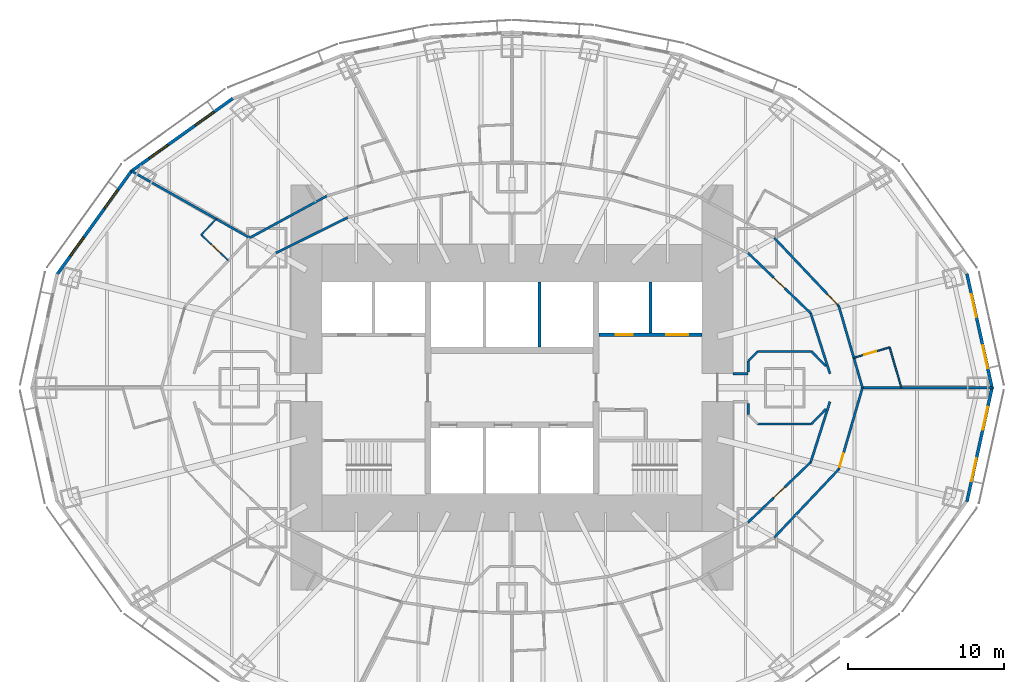
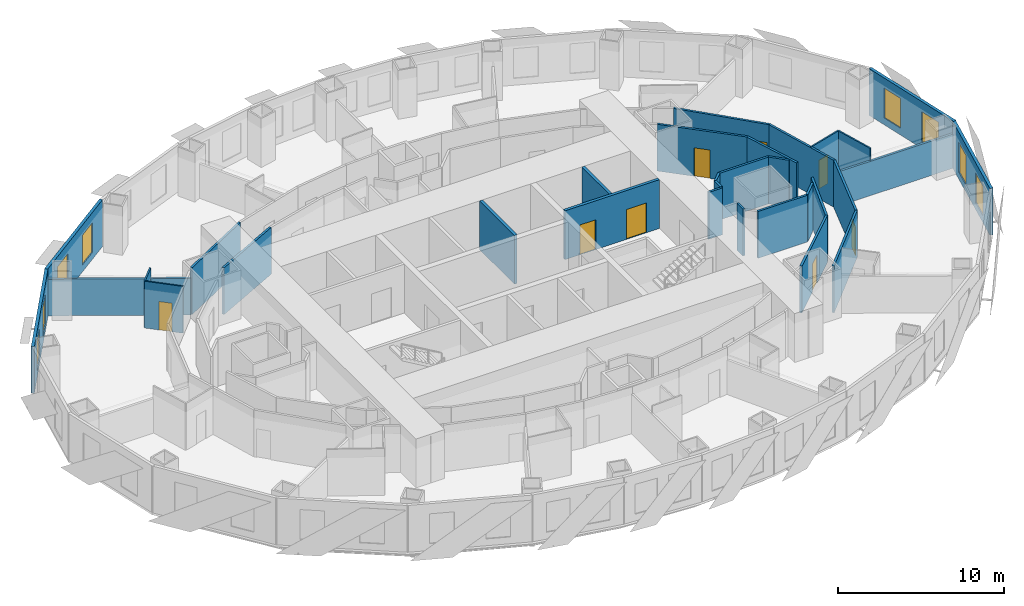
# One storey, part 8 of 15: 31 walls, 8 doors, 8 windows, 16 openings.
"""IFC4 building model written with IfcOpenShell, lengths in metres."""

from ifc_helpers import new_model, si_unit, direction, frame, frame_2d, origin, place, context, subcontext, project, spatial, rectangle, extrude, material, layer, layer_set, type_object, element, fill, save


model = new_model("IFC4")

# Units and contexts
model_context = context("Model", 3, precision=1e-05, world=origin(), true_north=direction((0.0, 1.0)))
body_context = subcontext(model_context, "Body", "Model", "MODEL_VIEW")
ifc_project = project(units=[si_unit("LENGTHUNIT", "METRE"), si_unit("AREAUNIT", "SQUARE_METRE"), si_unit("VOLUMEUNIT", "CUBIC_METRE"), si_unit("PLANEANGLEUNIT", "RADIAN"), si_unit("MASSUNIT", "GRAM", prefix="KILO")], contexts=[model_context])

# Site, building, storey
site_placement = place(None, origin())
site = spatial("IfcSite", under=ifc_project, at=site_placement, CompositionType="ELEMENT")
building_placement = place(site_placement, origin())
building = spatial("IfcBuilding", under=site, at=building_placement, Name="Lantaw Convention Tower", CompositionType="ELEMENT")
storey_placement = place(building_placement, frame((0.0, 0.0, 91.0)))
storey = spatial("IfcBuildingStorey", under=building, at=storey_placement, Name="L21", CompositionType="ELEMENT", Elevation=91.0)

# Wall, opening, door
ifc_material_1 = material(Name="Moisture resistant gypsum board on steel studs", Category="steel")
ifc_layer_1 = layer(ifc_material_1, 0.10009765625)
ifc_layer_set_1 = layer_set([ifc_layer_1], Name="Bathroom wall 100")
wall_type_1 = type_object("IfcWallType", Name="Bathroom wall 100", PredefinedType="PARTITIONING", material=ifc_layer_set_1)
wall_1_placement = place(storey_placement, frame((21.943359375, 1.9208984375, 0.0), z_axis=(0.0, 0.0, 1.0), x_axis=(0.960496317326, 0.278292695563, 0.0)))
wall_1 = element("IfcWall", 1, at=wall_1_placement, inside=storey, type_object=wall_type_1, Name="Bathroom wall 100", PredefinedType="PARTITIONING", context=body_context, shape_type="SweptSolid", body=[
    extrude(rectangle(XDim=2.400146484375, YDim=0.10009765625, at=frame_2d((1.2001953125, 0.0))), origin(), (0.0, 0.0, 1.0), 3.449951171875),
])
opening_1_placement = place(wall_1_placement, frame((0.699951171875, 0.0, 0.0)))
opening_1 = element("IfcOpeningElement", 2, at=opening_1_placement, cuts=wall_1, Name="Opening L21.25", PredefinedType="OPENING", context=body_context, shape_type="SweptSolid", body=[
    extrude(rectangle(XDim=0.800048828125, YDim=2.10009765625, at=frame_2d((0.39990234375, 1.050048828125))), frame((0.0, 0.06005859375, 0.0), z_axis=(0.0, -1.0, 0.0), x_axis=(1.0, 0.0, 0.0)), (0.0, 0.0, 1.0), 0.1201171875),
])
ifc_material_2 = material(Name="Timber", Category="wood")
door_type_1 = type_object("IfcDoorType", Name="Bathroom door 800", OperationType="SINGLE_SWING_LEFT", PredefinedType="DOOR", material=ifc_material_2)
door_1_placement = place(opening_1_placement, origin())
door_1 = element("IfcDoor", 3, at=door_1_placement, inside=storey, type_object=door_type_1, Name="Bathroom door", OperationType="SINGLE_SWING_LEFT", OverallHeight=2.10009765625, OverallWidth=0.800048828125, PredefinedType="DOOR", context=body_context, shape_type="SweptSolid", body=[
    extrude(rectangle(XDim=0.800048828125, YDim=2.10009765625, at=frame_2d((0.39990234375, 1.050048828125))), frame((0.0, 0.02490234375, 0.0), z_axis=(0.0, -1.0, 0.0), x_axis=(1.0, 0.0, 0.0)), (0.0, 0.0, 1.0), 0.050048828125),
])
fill(opening_1, door_1)

# Wall
wall_2_placement = place(storey_placement, frame((24.248779296875, 2.5888671875, 0.0), z_axis=(0.0, 0.0, 1.0), x_axis=(0.278260412958, -0.960505670249, 0.0)))
element("IfcWall", 4, at=wall_2_placement, inside=storey, type_object=wall_type_1, Name="Bathroom wall 100", PredefinedType="PARTITIONING", context=body_context, shape_type="SweptSolid", body=[
    extrude(rectangle(XDim=2.6953125, YDim=0.10009765625, at=frame_2d((1.34765625, 0.0))), origin(), (0.0, 0.0, 1.0), 3.449951171875),
])

# Wall, opening, door
wall_3_placement = place(storey_placement, frame((-18.209228515625, 8.166748046875, 0.0), z_axis=(0.0, 0.0, 1.0), x_axis=(-0.726567238928, 0.687095369885, 0.0)))
wall_3 = element("IfcWall", 5, at=wall_3_placement, inside=storey, type_object=wall_type_1, Name="Bathroom wall 100", PredefinedType="PARTITIONING", context=body_context, shape_type="SweptSolid", body=[
    extrude(rectangle(XDim=2.39990234375, YDim=0.10009765625, at=frame_2d((1.199951171875, 0.0))), origin(), (0.0, 0.0, 1.0), 3.449951171875),
])
opening_2_placement = place(wall_3_placement, frame((0.699951171875, 0.0, 0.0)))
opening_2 = element("IfcOpeningElement", 6, at=opening_2_placement, cuts=wall_3, Name="Opening L21.35", PredefinedType="OPENING", context=body_context, shape_type="SweptSolid", body=[
    extrude(rectangle(XDim=0.800048828125, YDim=2.10009765625, at=frame_2d((0.39990234375, 1.050048828125))), frame((0.0, 0.06005859375, 0.0), z_axis=(0.0, -1.0, 0.0), x_axis=(1.0, 0.0, 0.0)), (0.0, 0.0, 1.0), 0.1201171875),
])
door_2_placement = place(opening_2_placement, origin())
door_2 = element("IfcDoor", 7, at=door_2_placement, inside=storey, type_object=door_type_1, Name="Bathroom door", OperationType="SINGLE_SWING_LEFT", OverallHeight=2.10009765625, OverallWidth=0.800048828125, PredefinedType="DOOR", context=body_context, shape_type="SweptSolid", body=[
    extrude(rectangle(XDim=0.800048828125, YDim=2.10009765625, at=frame_2d((0.39990234375, 1.050048828125))), frame((0.0, 0.02490234375, 0.0), z_axis=(0.0, -1.0, 0.0), x_axis=(1.0, 0.0, 0.0)), (0.0, 0.0, 1.0), 0.050048828125),
])
fill(opening_2, door_2)

# Walls
wall_4_placement = place(storey_placement, frame((-19.952880859375, 9.815673828125, 0.0), z_axis=(0.0, 0.0, 1.0), x_axis=(0.687017997787, 0.726640399866, 0.0)))
element("IfcWall", 8, at=wall_4_placement, inside=storey, type_object=wall_type_1, Name="Bathroom wall 100", PredefinedType="PARTITIONING", context=body_context, shape_type="SweptSolid", body=[
    extrude(rectangle(XDim=1.417236328125, YDim=0.10009765625, at=frame_2d((0.70849609375, 0.0))), origin(), (0.0, 0.0, 1.0), 3.449951171875),
])
ifc_material_3 = material(Name="Gypsum board on steel studs, fire rated", Category="steel")
ifc_layer_2 = layer(ifc_material_3, 0.14990234375)
ifc_layer_set_2 = layer_set([ifc_layer_2], Name="Corridor wall 150 EI 60")
wall_type_2 = type_object("IfcWallType", Name="Corridor wall 150 EI 60", PredefinedType="PARTITIONING", material=ifc_layer_set_2)
wall_5_placement = place(storey_placement, frame((22.5, 0.0, 0.0), z_axis=(0.0, 0.0, 1.0), x_axis=(-0.278247435376, 0.960509429785, 0.0)))
element("IfcWall", 9, at=wall_5_placement, inside=storey, type_object=wall_type_2, Name="Corridor wall 150", PredefinedType="PARTITIONING", context=body_context, shape_type="SweptSolid", body=[
    extrude(rectangle(XDim=5.447021484375, YDim=0.14990234375, at=frame_2d((2.7236328125, 0.0))), origin(), (0.0, 0.0, 1.0), 3.449951171875),
])

# Wall, opening, door
wall_6_placement = place(storey_placement, frame((20.984375, 5.23193359375, 0.0), z_axis=(0.0, 0.0, 1.0), x_axis=(-0.687062608696, 0.726598218916, 0.0)))
wall_6 = element("IfcWall", 10, at=wall_6_placement, inside=storey, type_object=wall_type_2, Name="Corridor wall 150", PredefinedType="PARTITIONING", context=body_context, shape_type="SweptSolid", body=[
    extrude(rectangle(XDim=6.039306640625, YDim=0.14990234375, at=frame_2d((3.01953125, 0.0))), origin(), (0.0, 0.0, 1.0), 3.449951171875),
])
opening_3_placement = place(wall_6_placement, frame((0.14990234375, 0.0, 0.0)))
opening_3 = element("IfcOpeningElement", 11, at=opening_3_placement, cuts=wall_6, Name="Opening L21.26", PredefinedType="OPENING", context=body_context, shape_type="SweptSolid", body=[
    extrude(rectangle(XDim=0.89990234375, YDim=2.10009765625, at=frame_2d((0.449951171875, 1.050048828125))), frame((0.0, 0.0849609375, 0.0), z_axis=(0.0, -1.0, 0.0), x_axis=(1.0, 0.0, 0.0)), (0.0, 0.0, 1.0), 0.169921875),
])
ifc_material_4 = material(Name="Steel, fire rated", Category="steel")
door_type_2 = type_object("IfcDoorType", Name="Guest room entrance door FD30S", OperationType="SINGLE_SWING_LEFT", PredefinedType="DOOR", material=ifc_material_4)
door_3_placement = place(opening_3_placement, origin())
door_3 = element("IfcDoor", 12, at=door_3_placement, inside=storey, type_object=door_type_2, Name="Junior suite entrance door", OperationType="SINGLE_SWING_LEFT", OverallHeight=2.10009765625, OverallWidth=0.89990234375, PredefinedType="DOOR", context=body_context, shape_type="SweptSolid", body=[
    extrude(rectangle(XDim=0.89990234375, YDim=2.10009765625, at=frame_2d((0.449951171875, 1.050048828125))), frame((0.0, 0.02490234375, 0.0), z_axis=(0.0, -1.0, 0.0), x_axis=(1.0, 0.0, 0.0)), (0.0, 0.0, 1.0), 0.050048828125),
])
fill(opening_3, door_3)

# Walls
wall_7_placement = place(storey_placement, frame((-11.888427734375, 12.310791015625, 0.0), z_axis=(0.0, 0.0, 1.0), x_axis=(-0.878450059298, -0.477834169267, 0.0)))
element("IfcWall", 13, at=wall_7_placement, inside=storey, type_object=wall_type_2, Name="Corridor wall 150", PredefinedType="PARTITIONING", context=body_context, shape_type="SweptSolid", body=[
    extrude(rectangle(XDim=5.630859375, YDim=0.14990234375, at=frame_2d((2.8154296875, 0.0))), origin(), (0.0, 0.0, 1.0), 3.449951171875),
])
wall_8_placement = place(storey_placement, frame((16.8349609375, -9.6201171875, 0.0), z_axis=(0.0, 0.0, 1.0), x_axis=(0.687062608696, 0.726598218916, 0.0)))
element("IfcWall", 14, at=wall_8_placement, inside=storey, type_object=wall_type_2, Name="Corridor wall 150", PredefinedType="PARTITIONING", context=body_context, shape_type="SweptSolid", body=[
    extrude(rectangle(XDim=6.039306640625, YDim=0.14990234375, at=frame_2d((3.01953125, 0.0))), origin(), (0.0, 0.0, 1.0), 3.449951171875),
])

# Wall, opening, door
wall_9_placement = place(storey_placement, frame((20.984375, -5.23193359375, 0.0), z_axis=(0.0, 0.0, 1.0), x_axis=(0.278247435376, 0.960509429785, 0.0)))
wall_9 = element("IfcWall", 15, at=wall_9_placement, inside=storey, type_object=wall_type_2, Name="Corridor wall 150", PredefinedType="PARTITIONING", context=body_context, shape_type="SweptSolid", body=[
    extrude(rectangle(XDim=5.447021484375, YDim=0.14990234375, at=frame_2d((2.7236328125, 0.0))), origin(), (0.0, 0.0, 1.0), 3.449951171875),
])
opening_4_placement = place(wall_9_placement, frame((0.14990234375, 0.0, 0.0)))
opening_4 = element("IfcOpeningElement", 16, at=opening_4_placement, cuts=wall_9, Name="Opening L21.48", PredefinedType="OPENING", context=body_context, shape_type="SweptSolid", body=[
    extrude(rectangle(XDim=0.89990234375, YDim=2.10009765625, at=frame_2d((0.449951171875, 1.050048828125))), frame((0.0, 0.0849609375, 0.0), z_axis=(0.0, -1.0, 0.0), x_axis=(1.0, 0.0, 0.0)), (0.0, 0.0, 1.0), 0.169921875),
])
door_4_placement = place(opening_4_placement, origin())
door_4 = element("IfcDoor", 17, at=door_4_placement, inside=storey, type_object=door_type_2, Name="Junior suite entrance door", OperationType="SINGLE_SWING_LEFT", OverallHeight=2.10009765625, OverallWidth=0.89990234375, PredefinedType="DOOR", context=body_context, shape_type="SweptSolid", body=[
    extrude(rectangle(XDim=0.89990234375, YDim=2.10009765625, at=frame_2d((0.449951171875, 1.050048828125))), frame((0.0, 0.02490234375, 0.0), z_axis=(0.0, -1.0, 0.0), x_axis=(1.0, 0.0, 0.0)), (0.0, 0.0, 1.0), 0.050048828125),
])
fill(opening_4, door_4)

# Wall
wall_10_placement = place(storey_placement, frame((20.413330078125, 0.89990234375, 0.0), z_axis=(0.0, 0.0, 1.0), x_axis=(-0.303505448228, 0.952829702988, 0.0)))
element("IfcWall", 18, at=wall_10_placement, inside=storey, type_object=wall_type_2, Name="Corridor wall 150", PredefinedType="PARTITIONING", context=body_context, shape_type="SweptSolid", body=[
    extrude(rectangle(XDim=4.073486328125, YDim=0.14990234375, at=frame_2d((2.03662109375, 0.0))), origin(), (0.0, 0.0, 1.0), 3.449951171875),
])

# Wall, opening, door
wall_11_placement = place(storey_placement, frame((19.177001953125, 4.78125, 0.0), z_axis=(0.0, 0.0, 1.0), x_axis=(-0.720837261072, 0.693104352209, 0.0)))
wall_11 = element("IfcWall", 19, at=wall_11_placement, inside=storey, type_object=wall_type_2, Name="Corridor wall 150", PredefinedType="PARTITIONING", context=body_context, shape_type="SweptSolid", body=[
    extrude(rectangle(XDim=5.590087890625, YDim=0.14990234375, at=frame_2d((2.794921875, 0.0))), origin(), (0.0, 0.0, 1.0), 3.449951171875),
])
opening_5_placement = place(wall_11_placement, frame((2.294921875, 0.0, 0.0)))
opening_5 = element("IfcOpeningElement", 20, at=opening_5_placement, cuts=wall_11, Name="Opening L21.16", PredefinedType="OPENING", context=body_context, shape_type="SweptSolid", body=[
    extrude(rectangle(XDim=1.0, YDim=2.10009765625, at=frame_2d((0.5, 1.050048828125))), frame((0.0, 0.0849609375, 0.0), z_axis=(0.0, -1.0, 0.0), x_axis=(1.0, 0.0, 0.0)), (0.0, 0.0, 1.0), 0.169921875),
])
door_type_3 = type_object("IfcDoorType", Name="Service door 1000 FD30", OperationType="SINGLE_SWING_LEFT", PredefinedType="DOOR", material=ifc_material_4)
door_5_placement = place(opening_5_placement, origin())
door_5 = element("IfcDoor", 21, at=door_5_placement, inside=storey, type_object=door_type_3, Name="Linen store door", OperationType="SINGLE_SWING_LEFT", OverallHeight=2.10009765625, OverallWidth=1.0, PredefinedType="DOOR", context=body_context, shape_type="SweptSolid", body=[
    extrude(rectangle(XDim=1.0, YDim=2.10009765625, at=frame_2d((0.5, 1.050048828125))), frame((0.0, 0.02490234375, 0.0), z_axis=(0.0, -1.0, 0.0), x_axis=(1.0, 0.0, 0.0)), (0.0, 0.0, 1.0), 0.050048828125),
])
fill(opening_5, door_5)

# Wall
wall_12_placement = place(storey_placement, frame((-10.55126953125, 10.92626953125, 0.0), z_axis=(0.0, 0.0, 1.0), x_axis=(-0.89656943448, -0.442903205177, 0.0)))
element("IfcWall", 22, at=wall_12_placement, inside=storey, type_object=wall_type_2, Name="Corridor wall 150", PredefinedType="PARTITIONING", context=body_context, shape_type="SweptSolid", body=[
    extrude(rectangle(XDim=5.12646484375, YDim=0.14990234375, at=frame_2d((2.563232421875, 0.0))), origin(), (0.0, 0.0, 1.0), 3.449951171875),
])

# Wall, opening, door
wall_13_placement = place(storey_placement, frame((15.1474609375, -8.65576171875, 0.0), z_axis=(0.0, 0.0, 1.0), x_axis=(0.720837261072, 0.693104352209, 0.0)))
wall_13 = element("IfcWall", 23, at=wall_13_placement, inside=storey, type_object=wall_type_2, Name="Corridor wall 150", PredefinedType="PARTITIONING", context=body_context, shape_type="SweptSolid", body=[
    extrude(rectangle(XDim=5.590087890625, YDim=0.14990234375, at=frame_2d((2.794921875, 0.0))), origin(), (0.0, 0.0, 1.0), 3.449951171875),
])
opening_6_placement = place(wall_13_placement, frame((2.294921875, 0.0, 0.0)))
opening_6 = element("IfcOpeningElement", 24, at=opening_6_placement, cuts=wall_13, Name="Opening L21.24", PredefinedType="OPENING", context=body_context, shape_type="SweptSolid", body=[
    extrude(rectangle(XDim=1.0, YDim=2.10009765625, at=frame_2d((0.5, 1.050048828125))), frame((0.0, 0.0849609375, 0.0), z_axis=(0.0, -1.0, 0.0), x_axis=(1.0, 0.0, 0.0)), (0.0, 0.0, 1.0), 0.169921875),
])
door_6_placement = place(opening_6_placement, origin())
door_6 = element("IfcDoor", 25, at=door_6_placement, inside=storey, type_object=door_type_3, Name="Room service pantry door", OperationType="SINGLE_SWING_LEFT", OverallHeight=2.10009765625, OverallWidth=1.0, PredefinedType="DOOR", context=body_context, shape_type="SweptSolid", body=[
    extrude(rectangle(XDim=1.0, YDim=2.10009765625, at=frame_2d((0.5, 1.050048828125))), frame((0.0, 0.02490234375, 0.0), z_axis=(0.0, -1.0, 0.0), x_axis=(1.0, 0.0, 0.0)), (0.0, 0.0, 1.0), 0.050048828125),
])
fill(opening_6, door_6)

# Walls
wall_14_placement = place(storey_placement, frame((19.177001953125, -4.78125, 0.0), z_axis=(0.0, 0.0, 1.0), x_axis=(0.303505448228, 0.952829702988, 0.0)))
element("IfcWall", 26, at=wall_14_placement, inside=storey, type_object=wall_type_2, Name="Corridor wall 150", PredefinedType="PARTITIONING", context=body_context, shape_type="SweptSolid", body=[
    extrude(rectangle(XDim=4.073486328125, YDim=0.14990234375, at=frame_2d((2.03662109375, 0.0))), origin(), (0.0, 0.0, 1.0), 3.449951171875),
])
wall_15_placement = place(storey_placement, frame((14.199951171875, 0.89990234375, 0.0), z_axis=(0.0, 0.0, 1.0), x_axis=(1.0, 0.0, 0.0)))
element("IfcWall", 27, at=wall_15_placement, inside=storey, type_object=wall_type_2, Name="Corridor wall 150", PredefinedType="PARTITIONING", context=body_context, shape_type="SweptSolid", body=[
    extrude(rectangle(XDim=0.965087890625, YDim=0.14990234375, at=frame_2d((0.482421875, 0.0))), origin(), (0.0, 0.0, 1.0), 3.449951171875),
])
wall_16_placement = place(storey_placement, frame((15.175048828125, 1.003173828125, 0.0), z_axis=(0.0, 0.0, 1.0), x_axis=(0.0, 1.0, 0.0)))
element("IfcWall", 28, at=wall_16_placement, inside=storey, type_object=wall_type_2, Name="Corridor wall 150", PredefinedType="PARTITIONING", context=body_context, shape_type="SweptSolid", body=[
    extrude(rectangle(XDim=0.721435546875, YDim=0.14990234375, at=frame_2d((0.36083984375, 0.0))), origin(), (0.0, 0.0, 1.0), 3.449951171875),
])
wall_17_placement = place(storey_placement, frame((15.175048828125, 1.724609375, 0.0), z_axis=(0.0, 0.0, 1.0), x_axis=(0.707106781187, 0.707106781187, 0.0)))
element("IfcWall", 29, at=wall_17_placement, inside=storey, type_object=wall_type_2, Name="Corridor wall 150", PredefinedType="PARTITIONING", context=body_context, shape_type="SweptSolid", body=[
    extrude(rectangle(XDim=0.84912109375, YDim=0.14990234375, at=frame_2d((0.424560546875, 0.0))), origin(), (0.0, 0.0, 1.0), 3.449951171875),
])
wall_18_placement = place(storey_placement, frame((15.775390625, 2.324951171875, 0.0), z_axis=(0.0, 0.0, 1.0), x_axis=(1.0, 0.0, 0.0)))
element("IfcWall", 30, at=wall_18_placement, inside=storey, type_object=wall_type_2, Name="Corridor wall 150", PredefinedType="PARTITIONING", context=body_context, shape_type="SweptSolid", body=[
    extrude(rectangle(XDim=3.44921875, YDim=0.14990234375, at=frame_2d((1.724609375, 0.0))), origin(), (0.0, 0.0, 1.0), 3.449951171875),
])
for number, where, z_axis, x_axis, name in (
    (31, (19.224609375, 2.324951171875, 0.0), (0.0, 0.0, 1.0), (0.700694560486, -0.713461374501, 0.0), "Corridor wall 150"),
    (32, (20.149169921875, -1.383544921875, 0.0), (0.0, 0.0, 1.0), (-0.700694560486, -0.713461374501, 0.0), "Corridor wall 150"),
):
    element("IfcWall", number, at=place(storey_placement, frame(where, z_axis=z_axis, x_axis=x_axis)), inside=storey, type_object=wall_type_2, Name=name, PredefinedType="PARTITIONING", context=body_context, shape_type="SweptSolid", body=[
        extrude(rectangle(XDim=1.319580078125, YDim=0.14990234375, at=frame_2d((0.65966796875, 0.0))), origin(), (0.0, 0.0, 1.0), 3.449951171875),
    ])
wall_19_placement = place(storey_placement, frame((19.224609375, -2.324951171875, 0.0), z_axis=(0.0, 0.0, 1.0), x_axis=(-1.0, 0.0, 0.0)))
element("IfcWall", 33, at=wall_19_placement, inside=storey, type_object=wall_type_2, Name="Corridor wall 150", PredefinedType="PARTITIONING", context=body_context, shape_type="SweptSolid", body=[
    extrude(rectangle(XDim=3.44921875, YDim=0.14990234375, at=frame_2d((1.724609375, 0.0))), origin(), (0.0, 0.0, 1.0), 3.449951171875),
])
wall_20_placement = place(storey_placement, frame((15.175048828125, -1.724609375, 0.0), z_axis=(0.0, 0.0, 1.0), x_axis=(0.0, 1.0, 0.0)))
element("IfcWall", 34, at=wall_20_placement, inside=storey, type_object=wall_type_2, Name="Corridor wall 150", PredefinedType="PARTITIONING", context=body_context, shape_type="SweptSolid", body=[
    extrude(rectangle(XDim=0.721435546875, YDim=0.14990234375, at=frame_2d((0.36083984375, 0.0))), origin(), (0.0, 0.0, 1.0), 3.449951171875),
])

# Wall, openings, windows
ifc_material_5 = material(Name="Insulated aluminium panel on steel frame", Category="steel")
ifc_layer_3 = layer(ifc_material_5, 0.199951171875)
ifc_layer_set_3 = layer_set([ifc_layer_3], Name="External wall 200")
wall_type_3 = type_object("IfcWallType", Name="External wall 200", PredefinedType="SOLIDWALL", material=ifc_layer_set_3)
wall_21_placement = place(storey_placement, frame((30.83544921875, -0.06689453125, 0.0), z_axis=(0.0, 0.0, 1.0), x_axis=(-0.215238065514, 0.976561608478, 0.0)))
wall_21 = element("IfcWall", 35, at=wall_21_placement, inside=storey, type_object=wall_type_3, Name="Facade panel wall", PredefinedType="SOLIDWALL", context=body_context, shape_type="SweptSolid", body=[
    extrude(rectangle(XDim=7.562255859375, YDim=0.199951171875, at=frame_2d((3.78125, 0.0))), origin(), (0.0, 0.0, 1.0), 3.449951171875),
])
opening_7_placement = place(wall_21_placement, frame((1.340576171875, 0.0, 0.5)))
opening_7 = element("IfcOpeningElement", 36, at=opening_7_placement, cuts=wall_21, Name="Opening W2", PredefinedType="OPENING", context=body_context, shape_type="SweptSolid", body=[
    extrude(rectangle(XDim=1.5, YDim=2.199951171875, at=frame_2d((0.75, 1.10009765625))), frame((0.0, 0.10986328125, 0.0), z_axis=(0.0, -1.0, 0.0), x_axis=(1.0, 0.0, 0.0)), (0.0, 0.0, 1.0), 0.219970703125),
])
opening_8_placement = place(wall_21_placement, frame((4.7216796875, 0.0, 0.5)))
opening_8 = element("IfcOpeningElement", 37, at=opening_8_placement, cuts=wall_21, Name="Opening W2", PredefinedType="OPENING", context=body_context, shape_type="SweptSolid", body=[
    extrude(rectangle(XDim=1.5, YDim=2.199951171875, at=frame_2d((0.75, 1.10009765625))), frame((0.0, 0.10986328125, 0.0), z_axis=(0.0, -1.0, 0.0), x_axis=(1.0, 0.0, 0.0)), (0.0, 0.0, 1.0), 0.219970703125),
])
ifc_material_6 = material(Name="Aluminium frame, clear insulating glass", Category="aluminium")
window_type = type_object("IfcWindowType", Name="Suite window 1500x2200", PartitioningType="SINGLE_PANEL", PredefinedType="WINDOW", material=ifc_material_6)
window_1_placement = place(opening_7_placement, origin())
window_1 = element("IfcWindow", 38, at=window_1_placement, inside=storey, type_object=window_type, Name="Guest room window", OverallHeight=2.199951171875, OverallWidth=1.5, PartitioningType="SINGLE_PANEL", PredefinedType="WINDOW", context=body_context, shape_type="SweptSolid", body=[
    extrude(rectangle(XDim=1.5, YDim=2.199951171875, at=frame_2d((0.75, 1.10009765625))), frame((0.0, 0.030029296875, 0.0), z_axis=(0.0, -1.0, 0.0), x_axis=(1.0, 0.0, 0.0)), (0.0, 0.0, 1.0), 0.06005859375),
])
fill(opening_7, window_1)
window_2_placement = place(opening_8_placement, origin())
window_2 = element("IfcWindow", 39, at=window_2_placement, inside=storey, type_object=window_type, Name="Guest room window", OverallHeight=2.199951171875, OverallWidth=1.5, PartitioningType="SINGLE_PANEL", PredefinedType="WINDOW", context=body_context, shape_type="SweptSolid", body=[
    extrude(rectangle(XDim=1.5, YDim=2.199951171875, at=frame_2d((0.75, 1.10009765625))), frame((0.0, 0.030029296875, 0.0), z_axis=(0.0, -1.0, 0.0), x_axis=(1.0, 0.0, 0.0)), (0.0, 0.0, 1.0), 0.06005859375),
])
fill(opening_8, window_2)

wall_22_placement = place(storey_placement, frame((-17.9287109375, 18.57177734375, 0.0), z_axis=(0.0, 0.0, 1.0), x_axis=(-0.812791321576, -0.582554948112, 0.0)))
wall_22 = element("IfcWall", 40, at=wall_22_placement, inside=storey, type_object=wall_type_3, Name="Facade panel wall", PredefinedType="SOLIDWALL", context=body_context, shape_type="SweptSolid", body=[
    extrude(rectangle(XDim=8.063232421875, YDim=0.199951171875, at=frame_2d((4.03173828125, 0.0))), origin(), (0.0, 0.0, 1.0), 3.449951171875),
])
opening_9_placement = place(wall_22_placement, frame((1.4658203125, 0.0, 0.5)))
opening_9 = element("IfcOpeningElement", 41, at=opening_9_placement, cuts=wall_22, Name="Opening W2", PredefinedType="OPENING", context=body_context, shape_type="SweptSolid", body=[
    extrude(rectangle(XDim=1.5, YDim=2.199951171875, at=frame_2d((0.75, 1.10009765625))), frame((0.0, 0.10986328125, 0.0), z_axis=(0.0, -1.0, 0.0), x_axis=(1.0, 0.0, 0.0)), (0.0, 0.0, 1.0), 0.219970703125),
])
opening_10_placement = place(wall_22_placement, frame((5.097412109375, 0.0, 0.5)))
opening_10 = element("IfcOpeningElement", 42, at=opening_10_placement, cuts=wall_22, Name="Opening W2", PredefinedType="OPENING", context=body_context, shape_type="SweptSolid", body=[
    extrude(rectangle(XDim=1.5, YDim=2.199951171875, at=frame_2d((0.75, 1.10009765625))), frame((0.0, 0.10986328125, 0.0), z_axis=(0.0, -1.0, 0.0), x_axis=(1.0, 0.0, 0.0)), (0.0, 0.0, 1.0), 0.219970703125),
])
window_3_placement = place(opening_9_placement, origin())
window_3 = element("IfcWindow", 43, at=window_3_placement, inside=storey, type_object=window_type, Name="Guest room window", OverallHeight=2.199951171875, OverallWidth=1.5, PartitioningType="SINGLE_PANEL", PredefinedType="WINDOW", context=body_context, shape_type="SweptSolid", body=[
    extrude(rectangle(XDim=1.5, YDim=2.199951171875, at=frame_2d((0.75, 1.10009765625))), frame((0.0, 0.030029296875, 0.0), z_axis=(0.0, -1.0, 0.0), x_axis=(1.0, 0.0, 0.0)), (0.0, 0.0, 1.0), 0.06005859375),
])
fill(opening_9, window_3)
window_4_placement = place(opening_10_placement, origin())
window_4 = element("IfcWindow", 44, at=window_4_placement, inside=storey, type_object=window_type, Name="Guest room window", OverallHeight=2.199951171875, OverallWidth=1.5, PartitioningType="SINGLE_PANEL", PredefinedType="WINDOW", context=body_context, shape_type="SweptSolid", body=[
    extrude(rectangle(XDim=1.5, YDim=2.199951171875, at=frame_2d((0.75, 1.10009765625))), frame((0.0, 0.030029296875, 0.0), z_axis=(0.0, -1.0, 0.0), x_axis=(1.0, 0.0, 0.0)), (0.0, 0.0, 1.0), 0.06005859375),
])
fill(opening_10, window_4)

wall_23_placement = place(storey_placement, frame((-24.400390625, 13.95654296875, 0.0), z_axis=(0.0, 0.0, 1.0), x_axis=(-0.583937613703, -0.811798536155, 0.0)))
wall_23 = element("IfcWall", 45, at=wall_23_placement, inside=storey, type_object=wall_type_3, Name="Facade panel wall", PredefinedType="SOLIDWALL", context=body_context, shape_type="SweptSolid", body=[
    extrude(rectangle(XDim=8.322998046875, YDim=0.199951171875, at=frame_2d((4.16162109375, 0.0))), origin(), (0.0, 0.0, 1.0), 3.449951171875),
])
opening_11_placement = place(wall_23_placement, frame((1.53076171875, 0.0, 0.5)))
opening_11 = element("IfcOpeningElement", 46, at=opening_11_placement, cuts=wall_23, Name="Opening W2", PredefinedType="OPENING", context=body_context, shape_type="SweptSolid", body=[
    extrude(rectangle(XDim=1.5, YDim=2.199951171875, at=frame_2d((0.75, 1.10009765625))), frame((0.0, 0.10986328125, 0.0), z_axis=(0.0, -1.0, 0.0), x_axis=(1.0, 0.0, 0.0)), (0.0, 0.0, 1.0), 0.219970703125),
])
opening_12_placement = place(wall_23_placement, frame((5.292236328125, 0.0, 0.5)))
opening_12 = element("IfcOpeningElement", 47, at=opening_12_placement, cuts=wall_23, Name="Opening W2", PredefinedType="OPENING", context=body_context, shape_type="SweptSolid", body=[
    extrude(rectangle(XDim=1.5, YDim=2.199951171875, at=frame_2d((0.75, 1.10009765625))), frame((0.0, 0.10986328125, 0.0), z_axis=(0.0, -1.0, 0.0), x_axis=(1.0, 0.0, 0.0)), (0.0, 0.0, 1.0), 0.219970703125),
])
window_5_placement = place(opening_11_placement, origin())
window_5 = element("IfcWindow", 48, at=window_5_placement, inside=storey, type_object=window_type, Name="Guest room window", OverallHeight=2.199951171875, OverallWidth=1.5, PartitioningType="SINGLE_PANEL", PredefinedType="WINDOW", context=body_context, shape_type="SweptSolid", body=[
    extrude(rectangle(XDim=1.5, YDim=2.199951171875, at=frame_2d((0.75, 1.10009765625))), frame((0.0, 0.030029296875, 0.0), z_axis=(0.0, -1.0, 0.0), x_axis=(1.0, 0.0, 0.0)), (0.0, 0.0, 1.0), 0.06005859375),
])
fill(opening_11, window_5)
window_6_placement = place(opening_12_placement, origin())
window_6 = element("IfcWindow", 49, at=window_6_placement, inside=storey, type_object=window_type, Name="Guest room window", OverallHeight=2.199951171875, OverallWidth=1.5, PartitioningType="SINGLE_PANEL", PredefinedType="WINDOW", context=body_context, shape_type="SweptSolid", body=[
    extrude(rectangle(XDim=1.5, YDim=2.199951171875, at=frame_2d((0.75, 1.10009765625))), frame((0.0, 0.030029296875, 0.0), z_axis=(0.0, -1.0, 0.0), x_axis=(1.0, 0.0, 0.0)), (0.0, 0.0, 1.0), 0.06005859375),
])
fill(opening_12, window_6)

wall_24_placement = place(storey_placement, frame((29.207763671875, -7.318115234375, 0.0), z_axis=(0.0, 0.0, 1.0), x_axis=(0.215238065514, 0.976561608478, 0.0)))
wall_24 = element("IfcWall", 50, at=wall_24_placement, inside=storey, type_object=wall_type_3, Name="Facade panel wall", PredefinedType="SOLIDWALL", context=body_context, shape_type="SweptSolid", body=[
    extrude(rectangle(XDim=7.562255859375, YDim=0.199951171875, at=frame_2d((3.78125, 0.0))), origin(), (0.0, 0.0, 1.0), 3.449951171875),
])
opening_13_placement = place(wall_24_placement, frame((1.340576171875, 0.0, 0.5)))
opening_13 = element("IfcOpeningElement", 51, at=opening_13_placement, cuts=wall_24, Name="Opening W2", PredefinedType="OPENING", context=body_context, shape_type="SweptSolid", body=[
    extrude(rectangle(XDim=1.5, YDim=2.199951171875, at=frame_2d((0.75, 1.10009765625))), frame((0.0, 0.10986328125, 0.0), z_axis=(0.0, -1.0, 0.0), x_axis=(1.0, 0.0, 0.0)), (0.0, 0.0, 1.0), 0.219970703125),
])
opening_14_placement = place(wall_24_placement, frame((4.7216796875, 0.0, 0.5)))
opening_14 = element("IfcOpeningElement", 52, at=opening_14_placement, cuts=wall_24, Name="Opening W2", PredefinedType="OPENING", context=body_context, shape_type="SweptSolid", body=[
    extrude(rectangle(XDim=1.5, YDim=2.199951171875, at=frame_2d((0.75, 1.10009765625))), frame((0.0, 0.10986328125, 0.0), z_axis=(0.0, -1.0, 0.0), x_axis=(1.0, 0.0, 0.0)), (0.0, 0.0, 1.0), 0.219970703125),
])
window_7_placement = place(opening_13_placement, origin())
window_7 = element("IfcWindow", 53, at=window_7_placement, inside=storey, type_object=window_type, Name="Guest room window", OverallHeight=2.199951171875, OverallWidth=1.5, PartitioningType="SINGLE_PANEL", PredefinedType="WINDOW", context=body_context, shape_type="SweptSolid", body=[
    extrude(rectangle(XDim=1.5, YDim=2.199951171875, at=frame_2d((0.75, 1.10009765625))), frame((0.0, 0.030029296875, 0.0), z_axis=(0.0, -1.0, 0.0), x_axis=(1.0, 0.0, 0.0)), (0.0, 0.0, 1.0), 0.06005859375),
])
fill(opening_13, window_7)
window_8_placement = place(opening_14_placement, origin())
window_8 = element("IfcWindow", 54, at=window_8_placement, inside=storey, type_object=window_type, Name="Guest room window", OverallHeight=2.199951171875, OverallWidth=1.5, PartitioningType="SINGLE_PANEL", PredefinedType="WINDOW", context=body_context, shape_type="SweptSolid", body=[
    extrude(rectangle(XDim=1.5, YDim=2.199951171875, at=frame_2d((0.75, 1.10009765625))), frame((0.0, 0.030029296875, 0.0), z_axis=(0.0, -1.0, 0.0), x_axis=(1.0, 0.0, 0.0)), (0.0, 0.0, 1.0), 0.06005859375),
])
fill(opening_14, window_8)

# Walls
ifc_material_7 = material(Name="Gypsum board on steel studs, acoustic", Category="steel")
ifc_layer_4 = layer(ifc_material_7, 0.14990234375)
ifc_layer_set_4 = layer_set([ifc_layer_4], Name="Guest room party wall 150")
wall_type_4 = type_object("IfcWallType", Name="Guest room party wall 150", PredefinedType="PARTITIONING", material=ifc_layer_set_4)
wall_25_placement = place(storey_placement, frame((30.82080078125, 0.0, 0.0), z_axis=(0.0, 0.0, 1.0), x_axis=(-1.0, 0.0, 0.0)))
element("IfcWall", 55, at=wall_25_placement, inside=storey, type_object=wall_type_4, Name="Guest room party wall 150", PredefinedType="PARTITIONING", context=body_context, shape_type="SweptSolid", body=[
    extrude(rectangle(XDim=8.32080078125, YDim=0.14990234375, at=frame_2d((4.160400390625, 0.0))), origin(), (0.0, 0.0, 1.0), 2.528076171875),
])
wall_26_placement = place(storey_placement, frame((-24.434814453125, 13.90869140625, 0.0), z_axis=(0.0, 0.0, 1.0), x_axis=(0.87090601027, -0.491449612143, 0.0)))
element("IfcWall", 56, at=wall_26_placement, inside=storey, type_object=wall_type_4, Name="Guest room party wall 150", PredefinedType="PARTITIONING", context=body_context, shape_type="SweptSolid", body=[
    extrude(rectangle(XDim=8.726318359375, YDim=0.14990234375, at=frame_2d((4.36328125, 0.0))), origin(), (0.0, 0.0, 1.0), 2.693115234375),
])
ifc_material_8 = material(Name="Concrete blockwork, fire rated", Category="masonry")
ifc_layer_5 = layer(ifc_material_8, 0.199951171875)
ifc_layer_set_5 = layer_set([ifc_layer_5], Name="Shaft wall 200")
wall_type_5 = type_object("IfcWallType", Name="Shaft wall 200", PredefinedType="SOLIDWALL", material=ifc_layer_set_5)
wall_27_placement = place(storey_placement, frame((1.7666015625, 2.60009765625, 0.0), z_axis=(0.0, 0.0, 1.0), x_axis=(0.0, 1.0, 0.0)))
element("IfcWall", 57, at=wall_27_placement, inside=storey, type_object=wall_type_5, Name="Shaft wall DN2", PredefinedType="SOLIDWALL", context=body_context, shape_type="SweptSolid", body=[
    extrude(rectangle(XDim=4.199951171875, YDim=0.199951171875, at=frame_2d((2.10009765625, 0.0))), origin(), (0.0, 0.0, 1.0), 3.60009765625),
])

# Wall, openings, doors
wall_28_placement = place(storey_placement, frame((12.199951171875, 3.39990234375, 0.0), z_axis=(0.0, 0.0, 1.0), x_axis=(-1.0, 0.0, 0.0)))
wall_28 = element("IfcWall", 58, at=wall_28_placement, inside=storey, type_object=wall_type_5, Name="Shaft wall EN", PredefinedType="SOLIDWALL", context=body_context, shape_type="SweptSolid", body=[
    extrude(rectangle(XDim=6.599853515625, YDim=0.199951171875, at=frame_2d((3.2998046875, 0.0))), origin(), (0.0, 0.0, 1.0), 3.60009765625),
])
opening_15_placement = place(wall_28_placement, frame((4.449951171875, 0.0, 0.0)))
opening_15 = element("IfcOpeningElement", 59, at=opening_15_placement, cuts=wall_28, Name="Opening L21.13", PredefinedType="OPENING", context=body_context, shape_type="SweptSolid", body=[
    extrude(rectangle(XDim=1.10009765625, YDim=2.199951171875, at=frame_2d((0.550048828125, 1.10009765625))), frame((0.0, 0.10986328125, 0.0), z_axis=(0.0, -1.0, 0.0), x_axis=(1.0, 0.0, 0.0)), (0.0, 0.0, 1.0), 0.219970703125),
])
opening_16_placement = place(wall_28_placement, frame((0.89990234375, 0.0, 0.0)))
opening_16 = element("IfcOpeningElement", 60, at=opening_16_placement, cuts=wall_28, Name="Opening L21.14", PredefinedType="OPENING", context=body_context, shape_type="SweptSolid", body=[
    extrude(rectangle(XDim=1.39990234375, YDim=2.199951171875, at=frame_2d((0.699951171875, 1.10009765625))), frame((0.0, 0.10986328125, 0.0), z_axis=(0.0, -1.0, 0.0), x_axis=(1.0, 0.0, 0.0)), (0.0, 0.0, 1.0), 0.219970703125),
])
ifc_material_9 = material(Name="Stainless steel", Category="steel")
door_type_4 = type_object("IfcDoorType", Name="Lift landing door 1100", OperationType="DOUBLE_DOOR_SLIDING", PredefinedType="DOOR", material=ifc_material_9)
door_7_placement = place(opening_15_placement, origin())
door_7 = element("IfcDoor", 61, at=door_7_placement, inside=storey, type_object=door_type_4, Name="Lift landing door FF2", OperationType="DOUBLE_DOOR_SLIDING", OverallHeight=2.199951171875, OverallWidth=1.10009765625, PredefinedType="DOOR", context=body_context, shape_type="SweptSolid", body=[
    extrude(rectangle(XDim=1.10009765625, YDim=2.199951171875, at=frame_2d((0.550048828125, 1.10009765625))), frame((0.0, 0.02490234375, 0.0), z_axis=(0.0, -1.0, 0.0), x_axis=(1.0, 0.0, 0.0)), (0.0, 0.0, 1.0), 0.050048828125),
])
fill(opening_15, door_7)
door_type_5 = type_object("IfcDoorType", Name="Lift landing door 1400", OperationType="DOUBLE_DOOR_SLIDING", PredefinedType="DOOR", material=ifc_material_9)
door_8_placement = place(opening_16_placement, origin())
door_8 = element("IfcDoor", 62, at=door_8_placement, inside=storey, type_object=door_type_5, Name="Lift landing door SV2", OperationType="DOUBLE_DOOR_SLIDING", OverallHeight=2.199951171875, OverallWidth=1.39990234375, PredefinedType="DOOR", context=body_context, shape_type="SweptSolid", body=[
    extrude(rectangle(XDim=1.39990234375, YDim=2.199951171875, at=frame_2d((0.699951171875, 1.10009765625))), frame((0.0, 0.02490234375, 0.0), z_axis=(0.0, -1.0, 0.0), x_axis=(1.0, 0.0, 0.0)), (0.0, 0.0, 1.0), 0.050048828125),
])
fill(opening_16, door_8)

# Wall
wall_29_placement = place(storey_placement, frame((8.89990234375, 3.5, 0.0), z_axis=(0.0, 0.0, 1.0), x_axis=(0.0, 1.0, 0.0)))
element("IfcWall", 63, at=wall_29_placement, inside=storey, type_object=wall_type_5, Name="Shaft wall ED", PredefinedType="SOLIDWALL", context=body_context, shape_type="SweptSolid", body=[
    extrude(rectangle(XDim=3.300048828125, YDim=0.199951171875, at=frame_2d((1.64990234375, 0.0))), origin(), (0.0, 0.0, 1.0), 3.60009765625),
])

save(model, "model.ifc")
